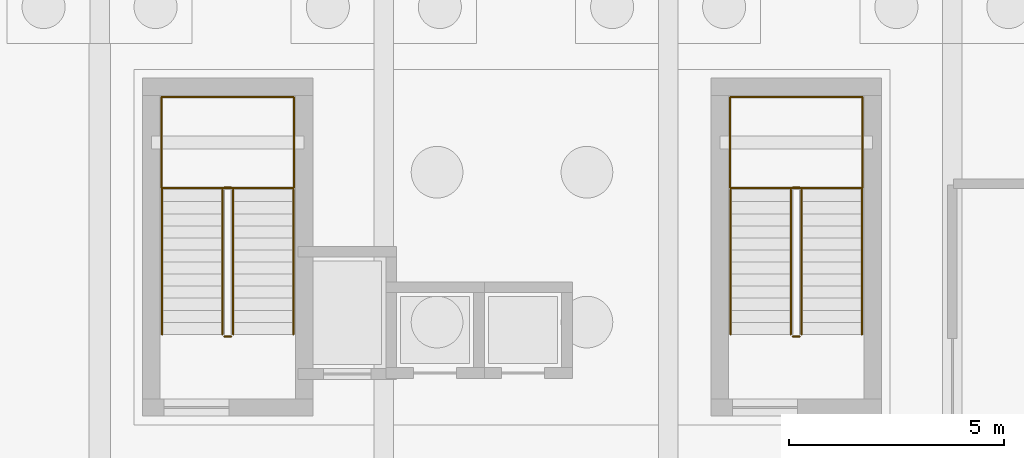
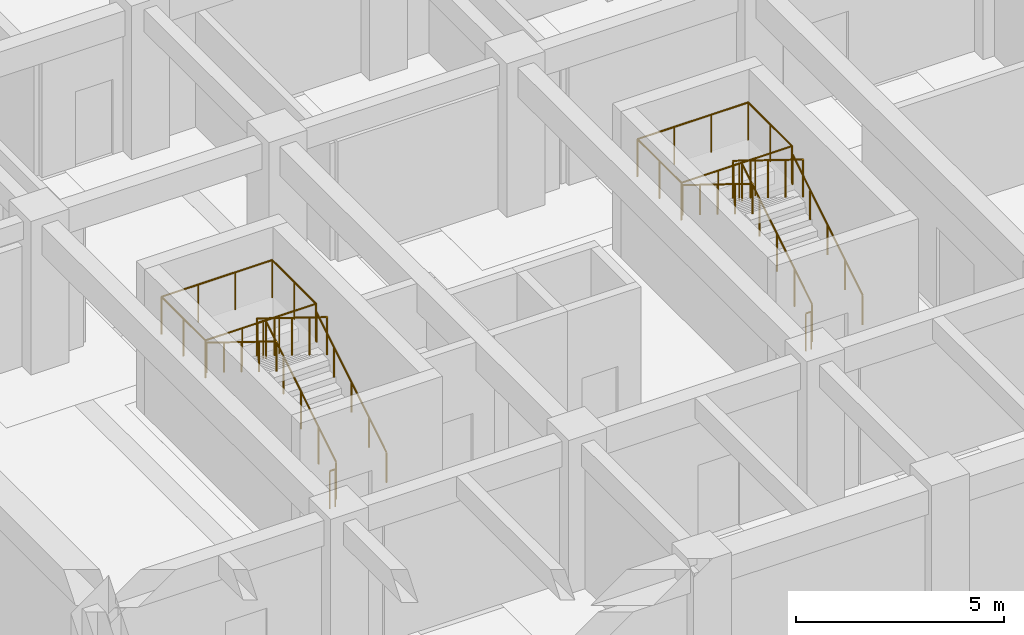
# One storey, part 22 of 28: 16 railings.
"""IFC4 building model written with IfcOpenShell, lengths in metres."""

from ifc_helpers import new_model, si_unit, direction, frame, origin, origin_2d, place, context, subcontext, project, spatial, circle, extrude, material, type_object, element, save


model = new_model("IFC4")

# Units and contexts
model_context = context("Model", 3, precision=1e-05, world=origin(), true_north=direction((0.0, 1.0)))
body_context = subcontext(model_context, "Body", "Model", "MODEL_VIEW")
ifc_project = project(units=[si_unit("LENGTHUNIT", "METRE"), si_unit("AREAUNIT", "SQUARE_METRE"), si_unit("VOLUMEUNIT", "CUBIC_METRE"), si_unit("PLANEANGLEUNIT", "RADIAN"), si_unit("MASSUNIT", "GRAM", prefix="KILO")], contexts=[model_context])

# Site, building, storey
site_placement = place(None, origin())
site = spatial("IfcSite", under=ifc_project, at=site_placement, CompositionType="ELEMENT")
building_placement = place(site_placement, origin())
building = spatial("IfcBuilding", under=site, at=building_placement, Name="Miralva Faculty of Natural Sciences", CompositionType="ELEMENT")
storey_placement = place(building_placement, frame((0.0, 0.0, -4.5)))
storey = spatial("IfcBuildingStorey", under=building, at=storey_placement, Name="B1", CompositionType="ELEMENT", Elevation=-4.5)

# Railings
ifc_material = material(Name="Steel S355", Category="steel")
railing_type_1 = type_object("IfcRailingType", Name="RL-GR01", PredefinedType="GUARDRAIL", material=ifc_material)
railing_1_placement = place(storey_placement, frame((12.699951171875, 14.5, 0.173095703125)))
element("IfcRailing", 1, at=railing_1_placement, inside=storey, type_object=railing_type_1, Name="Stair Core C1 safety guard B1-1", PredefinedType="GUARDRAIL", context=body_context, shape_type="SweptSolid", body=[
    extrude(circle(Radius=0.02392578125, at=origin_2d()), frame((0.0, 0.0, 1.09619140625), z_axis=(0.0, 0.850623216509, 0.525775754039), x_axis=(-1.0, 0.0, 0.0)), (0.0, 0.0, 1.0), 3.9501953125),
    extrude(circle(Radius=0.02099609375, at=origin_2d()), origin(), (0.0, 0.0, 1.0), 1.072021484375),
    extrude(circle(Radius=0.02099609375, at=origin_2d()), frame((0.0, 0.840087890625, 0.519287109375)), (0.0, 0.0, 1.0), 1.072021484375),
    extrude(circle(Radius=0.02099609375, at=origin_2d()), frame((0.0, 1.68017578125, 1.03857421875)), (0.0, 0.0, 1.0), 1.072021484375),
    extrude(circle(Radius=0.02099609375, at=origin_2d()), frame((0.0, 2.52001953125, 1.5576171875)), (0.0, 0.0, 1.0), 1.072021484375),
    extrude(circle(Radius=0.02099609375, at=origin_2d()), frame((0.0, 3.360107421875, 2.076904296875)), (0.0, 0.0, 1.0), 1.072021484375),
])
railing_2_placement = place(storey_placement, frame((12.64990234375, 17.909912109375, 2.25)))
element("IfcRailing", 2, at=railing_2_placement, inside=storey, type_object=railing_type_1, Name="Stair Core C1 safety guard B1-2", PredefinedType="GUARDRAIL", context=body_context, shape_type="SweptSolid", body=[
    extrude(circle(Radius=0.02392578125, at=origin_2d()), frame((0.0, 0.0, 1.09619140625), z_axis=(-1.0, 0.0, 0.0), x_axis=(0.0, -1.0, 0.0)), (0.0, 0.0, 1.0), 0.14990234375),
    extrude(circle(Radius=0.02099609375, at=origin_2d()), origin(), (0.0, 0.0, 1.0), 1.072021484375),
    extrude(circle(Radius=0.02099609375, at=origin_2d()), frame((-0.14990234375, 0.0, 0.0)), (0.0, 0.0, 1.0), 1.072021484375),
])
railing_3_placement = place(storey_placement, frame((12.449951171875, 17.860107421875, 2.423095703125)))
element("IfcRailing", 3, at=railing_3_placement, inside=storey, type_object=railing_type_1, Name="Stair Core C1 safety guard B1-3", PredefinedType="GUARDRAIL", context=body_context, shape_type="SweptSolid", body=[
    extrude(circle(Radius=0.02392578125, at=origin_2d()), frame((0.0, 0.0, 1.09619140625), z_axis=(0.0, -0.850623216509, 0.525775754039), x_axis=(1.0, 0.0, 0.0)), (0.0, 0.0, 1.0), 3.9501953125),
    extrude(circle(Radius=0.02099609375, at=origin_2d()), origin(), (0.0, 0.0, 1.0), 1.072021484375),
    extrude(circle(Radius=0.02099609375, at=origin_2d()), frame((0.0, -0.840087890625, 0.519287109375)), (0.0, 0.0, 1.0), 1.072021484375),
    extrude(circle(Radius=0.02099609375, at=origin_2d()), frame((0.0, -1.68017578125, 1.03857421875)), (0.0, 0.0, 1.0), 1.072021484375),
    extrude(circle(Radius=0.02099609375, at=origin_2d()), frame((0.0, -2.52001953125, 1.5576171875)), (0.0, 0.0, 1.0), 1.072021484375),
    extrude(circle(Radius=0.02099609375, at=origin_2d()), frame((0.0, -3.360107421875, 2.076904296875)), (0.0, 0.0, 1.0), 1.072021484375),
])
railing_4_placement = place(storey_placement, frame((12.64990234375, 14.449951171875, 0.0)))
element("IfcRailing", 4, at=railing_4_placement, inside=storey, type_object=railing_type_1, Name="Stair Core C1 safety guard B1-4", PredefinedType="GUARDRAIL", context=body_context, shape_type="SweptSolid", body=[
    extrude(circle(Radius=0.02392578125, at=origin_2d()), frame((0.0, 0.0, 1.09619140625), z_axis=(-1.0, 0.0, 0.0), x_axis=(0.0, -1.0, 0.0)), (0.0, 0.0, 1.0), 0.14990234375),
    extrude(circle(Radius=0.02099609375, at=origin_2d()), origin(), (0.0, 0.0, 1.0), 1.072021484375),
    extrude(circle(Radius=0.02099609375, at=origin_2d()), frame((-0.14990234375, 0.0, 0.0)), (0.0, 0.0, 1.0), 1.072021484375),
])
railing_5_placement = place(storey_placement, frame((11.0400390625, 17.89990234375, 2.25)))
element("IfcRailing", 5, at=railing_5_placement, inside=storey, type_object=railing_type_1, Name="Stair Core C1 half-landing guard B1-1A", PredefinedType="GUARDRAIL", context=body_context, shape_type="SweptSolid", body=[
    extrude(circle(Radius=0.02392578125, at=origin_2d()), frame((0.0, 0.0, 1.09619140625), z_axis=(0.0, 1.0, 0.0), x_axis=(-1.0, 0.0, 0.0)), (0.0, 0.0, 1.0), 2.110107421875),
    extrude(circle(Radius=0.02392578125, at=origin_2d()), frame((0.0, 2.110107421875, 1.09619140625), z_axis=(1.0, 0.0, 0.0), x_axis=(0.0, 1.0, 0.0)), (0.0, 0.0, 1.0), 3.070068359375),
    extrude(circle(Radius=0.02099609375, at=origin_2d()), origin(), (0.0, 0.0, 1.0), 1.072021484375),
    extrude(circle(Radius=0.02099609375, at=origin_2d()), frame((0.0, 1.05517578125, 0.0)), (0.0, 0.0, 1.0), 1.072021484375),
    extrude(circle(Radius=0.02099609375, at=origin_2d()), frame((0.0, 2.110107421875, 0.0)), (0.0, 0.0, 1.0), 1.072021484375),
    extrude(circle(Radius=0.02099609375, at=origin_2d()), frame((1.0234375, 2.110107421875, 0.0)), (0.0, 0.0, 1.0), 1.072021484375),
    extrude(circle(Radius=0.02099609375, at=origin_2d()), frame((2.046630859375, 2.110107421875, 0.0)), (0.0, 0.0, 1.0), 1.072021484375),
    extrude(circle(Radius=0.02099609375, at=origin_2d()), frame((3.070068359375, 2.110107421875, 0.0)), (0.0, 0.0, 1.0), 1.072021484375),
])
railing_6_placement = place(storey_placement, frame((14.110107421875, 20.010009765625, 2.25)))
element("IfcRailing", 6, at=railing_6_placement, inside=storey, type_object=railing_type_1, Name="Stair Core C1 half-landing guard B1-1B", PredefinedType="GUARDRAIL", context=body_context, shape_type="SweptSolid", body=[
    extrude(circle(Radius=0.02392578125, at=origin_2d()), frame((0.0, 0.0, 1.09619140625), z_axis=(0.0, -1.0, 0.0), x_axis=(1.0, 0.0, 0.0)), (0.0, 0.0, 1.0), 2.110107421875),
    extrude(circle(Radius=0.02392578125, at=origin_2d()), frame((0.0, -2.110107421875, 1.09619140625), z_axis=(-1.0, 0.0, 0.0), x_axis=(0.0, -1.0, 0.0)), (0.0, 0.0, 1.0), 3.070068359375),
    extrude(circle(Radius=0.02099609375, at=origin_2d()), origin(), (0.0, 0.0, 1.0), 1.072021484375),
    extrude(circle(Radius=0.02099609375, at=origin_2d()), frame((0.0, -1.05517578125, 0.0)), (0.0, 0.0, 1.0), 1.072021484375),
    extrude(circle(Radius=0.02099609375, at=origin_2d()), frame((0.0, -2.110107421875, 0.0)), (0.0, 0.0, 1.0), 1.072021484375),
    extrude(circle(Radius=0.02099609375, at=origin_2d()), frame((-1.0234375, -2.110107421875, 0.0)), (0.0, 0.0, 1.0), 1.072021484375),
    extrude(circle(Radius=0.02099609375, at=origin_2d()), frame((-2.046630859375, -2.110107421875, 0.0)), (0.0, 0.0, 1.0), 1.072021484375),
    extrude(circle(Radius=0.02099609375, at=origin_2d()), frame((-3.070068359375, -2.110107421875, 0.0)), (0.0, 0.0, 1.0), 1.072021484375),
])
railing_7_placement = place(storey_placement, frame((25.89990234375, 14.5, 0.173095703125)))
element("IfcRailing", 7, at=railing_7_placement, inside=storey, type_object=railing_type_1, Name="Stair Core C1B safety guard B1-1", PredefinedType="GUARDRAIL", context=body_context, shape_type="SweptSolid", body=[
    extrude(circle(Radius=0.02392578125, at=origin_2d()), frame((0.0, 0.0, 1.09619140625), z_axis=(0.0, 0.850623216509, 0.525775754039), x_axis=(-1.0, 0.0, 0.0)), (0.0, 0.0, 1.0), 3.9501953125),
    extrude(circle(Radius=0.02099609375, at=origin_2d()), origin(), (0.0, 0.0, 1.0), 1.072021484375),
    extrude(circle(Radius=0.02099609375, at=origin_2d()), frame((0.0, 0.840087890625, 0.519287109375)), (0.0, 0.0, 1.0), 1.072021484375),
    extrude(circle(Radius=0.02099609375, at=origin_2d()), frame((0.0, 1.68017578125, 1.03857421875)), (0.0, 0.0, 1.0), 1.072021484375),
    extrude(circle(Radius=0.02099609375, at=origin_2d()), frame((0.0, 2.52001953125, 1.5576171875)), (0.0, 0.0, 1.0), 1.072021484375),
    extrude(circle(Radius=0.02099609375, at=origin_2d()), frame((0.0, 3.360107421875, 2.076904296875)), (0.0, 0.0, 1.0), 1.072021484375),
])
railing_8_placement = place(storey_placement, frame((25.85009765625, 17.909912109375, 2.25)))
element("IfcRailing", 8, at=railing_8_placement, inside=storey, type_object=railing_type_1, Name="Stair Core C1B safety guard B1-2", PredefinedType="GUARDRAIL", context=body_context, shape_type="SweptSolid", body=[
    extrude(circle(Radius=0.02392578125, at=origin_2d()), frame((0.0, 0.0, 1.09619140625), z_axis=(-1.0, 0.0, 0.0), x_axis=(0.0, -1.0, 0.0)), (0.0, 0.0, 1.0), 0.150146484375),
    extrude(circle(Radius=0.02099609375, at=origin_2d()), origin(), (0.0, 0.0, 1.0), 1.072021484375),
    extrude(circle(Radius=0.02099609375, at=origin_2d()), frame((-0.150146484375, 0.0, 0.0)), (0.0, 0.0, 1.0), 1.072021484375),
])
railing_9_placement = place(storey_placement, frame((25.64990234375, 17.860107421875, 2.423095703125)))
element("IfcRailing", 9, at=railing_9_placement, inside=storey, type_object=railing_type_1, Name="Stair Core C1B safety guard B1-3", PredefinedType="GUARDRAIL", context=body_context, shape_type="SweptSolid", body=[
    extrude(circle(Radius=0.02392578125, at=origin_2d()), frame((0.0, 0.0, 1.09619140625), z_axis=(0.0, -0.850623216509, 0.525775754039), x_axis=(1.0, 0.0, 0.0)), (0.0, 0.0, 1.0), 3.9501953125),
    extrude(circle(Radius=0.02099609375, at=origin_2d()), origin(), (0.0, 0.0, 1.0), 1.072021484375),
    extrude(circle(Radius=0.02099609375, at=origin_2d()), frame((0.0, -0.840087890625, 0.519287109375)), (0.0, 0.0, 1.0), 1.072021484375),
    extrude(circle(Radius=0.02099609375, at=origin_2d()), frame((0.0, -1.68017578125, 1.03857421875)), (0.0, 0.0, 1.0), 1.072021484375),
    extrude(circle(Radius=0.02099609375, at=origin_2d()), frame((0.0, -2.52001953125, 1.5576171875)), (0.0, 0.0, 1.0), 1.072021484375),
    extrude(circle(Radius=0.02099609375, at=origin_2d()), frame((0.0, -3.360107421875, 2.076904296875)), (0.0, 0.0, 1.0), 1.072021484375),
])
railing_10_placement = place(storey_placement, frame((25.85009765625, 14.449951171875, 0.0)))
element("IfcRailing", 10, at=railing_10_placement, inside=storey, type_object=railing_type_1, Name="Stair Core C1B safety guard B1-4", PredefinedType="GUARDRAIL", context=body_context, shape_type="SweptSolid", body=[
    extrude(circle(Radius=0.02392578125, at=origin_2d()), frame((0.0, 0.0, 1.09619140625), z_axis=(-1.0, 0.0, 0.0), x_axis=(0.0, -1.0, 0.0)), (0.0, 0.0, 1.0), 0.150146484375),
    extrude(circle(Radius=0.02099609375, at=origin_2d()), origin(), (0.0, 0.0, 1.0), 1.072021484375),
    extrude(circle(Radius=0.02099609375, at=origin_2d()), frame((-0.150146484375, 0.0, 0.0)), (0.0, 0.0, 1.0), 1.072021484375),
])
railing_11_placement = place(storey_placement, frame((24.239990234375, 17.89990234375, 2.25)))
element("IfcRailing", 11, at=railing_11_placement, inside=storey, type_object=railing_type_1, Name="Stair Core C1B half-landing guard B1-1A", PredefinedType="GUARDRAIL", context=body_context, shape_type="SweptSolid", body=[
    extrude(circle(Radius=0.02392578125, at=origin_2d()), frame((0.0, 0.0, 1.09619140625), z_axis=(0.0, 1.0, 0.0), x_axis=(-1.0, 0.0, 0.0)), (0.0, 0.0, 1.0), 2.110107421875),
    extrude(circle(Radius=0.02392578125, at=origin_2d()), frame((0.0, 2.110107421875, 1.09619140625), z_axis=(1.0, 0.0, 0.0), x_axis=(0.0, 1.0, 0.0)), (0.0, 0.0, 1.0), 3.070068359375),
    extrude(circle(Radius=0.02099609375, at=origin_2d()), origin(), (0.0, 0.0, 1.0), 1.072021484375),
    extrude(circle(Radius=0.02099609375, at=origin_2d()), frame((0.0, 1.05517578125, 0.0)), (0.0, 0.0, 1.0), 1.072021484375),
    extrude(circle(Radius=0.02099609375, at=origin_2d()), frame((0.0, 2.110107421875, 0.0)), (0.0, 0.0, 1.0), 1.072021484375),
    extrude(circle(Radius=0.02099609375, at=origin_2d()), frame((1.0234375, 2.110107421875, 0.0)), (0.0, 0.0, 1.0), 1.072021484375),
    extrude(circle(Radius=0.02099609375, at=origin_2d()), frame((2.046630859375, 2.110107421875, 0.0)), (0.0, 0.0, 1.0), 1.072021484375),
    extrude(circle(Radius=0.02099609375, at=origin_2d()), frame((3.070068359375, 2.110107421875, 0.0)), (0.0, 0.0, 1.0), 1.072021484375),
])
railing_12_placement = place(storey_placement, frame((27.31005859375, 20.010009765625, 2.25)))
element("IfcRailing", 12, at=railing_12_placement, inside=storey, type_object=railing_type_1, Name="Stair Core C1B half-landing guard B1-1B", PredefinedType="GUARDRAIL", context=body_context, shape_type="SweptSolid", body=[
    extrude(circle(Radius=0.02392578125, at=origin_2d()), frame((0.0, 0.0, 1.09619140625), z_axis=(0.0, -1.0, 0.0), x_axis=(1.0, 0.0, 0.0)), (0.0, 0.0, 1.0), 2.110107421875),
    extrude(circle(Radius=0.02392578125, at=origin_2d()), frame((0.0, -2.110107421875, 1.09619140625), z_axis=(-1.0, 0.0, 0.0), x_axis=(0.0, -1.0, 0.0)), (0.0, 0.0, 1.0), 3.070068359375),
    extrude(circle(Radius=0.02099609375, at=origin_2d()), origin(), (0.0, 0.0, 1.0), 1.072021484375),
    extrude(circle(Radius=0.02099609375, at=origin_2d()), frame((0.0, -1.05517578125, 0.0)), (0.0, 0.0, 1.0), 1.072021484375),
    extrude(circle(Radius=0.02099609375, at=origin_2d()), frame((0.0, -2.110107421875, 0.0)), (0.0, 0.0, 1.0), 1.072021484375),
    extrude(circle(Radius=0.02099609375, at=origin_2d()), frame((-1.0234375, -2.110107421875, 0.0)), (0.0, 0.0, 1.0), 1.072021484375),
    extrude(circle(Radius=0.02099609375, at=origin_2d()), frame((-2.046630859375, -2.110107421875, 0.0)), (0.0, 0.0, 1.0), 1.072021484375),
    extrude(circle(Radius=0.02099609375, at=origin_2d()), frame((-3.070068359375, -2.110107421875, 0.0)), (0.0, 0.0, 1.0), 1.072021484375),
])
railing_type_2 = type_object("IfcRailingType", Name="RL-HR01", PredefinedType="HANDRAIL", material=ifc_material)
railing_13_placement = place(storey_placement, frame((14.10009765625, 14.5, 0.173095703125)))
element("IfcRailing", 13, at=railing_13_placement, inside=storey, type_object=railing_type_2, Name="Stair Core C1 handrail B1-1", PredefinedType="HANDRAIL", context=body_context, shape_type="SweptSolid", body=[
    extrude(circle(Radius=0.02392578125, at=origin_2d()), frame((0.0, 0.0, 0.8759765625), z_axis=(0.0, 0.850623216509, 0.525775754039), x_axis=(-1.0, 0.0, 0.0)), (0.0, 0.0, 1.0), 3.9501953125),
    extrude(circle(Radius=0.02099609375, at=origin_2d()), origin(), (0.0, 0.0, 1.0), 0.851806640625),
    extrude(circle(Radius=0.02099609375, at=origin_2d()), frame((0.0, 0.840087890625, 0.519287109375)), (0.0, 0.0, 1.0), 0.851806640625),
    extrude(circle(Radius=0.02099609375, at=origin_2d()), frame((0.0, 1.68017578125, 1.03857421875)), (0.0, 0.0, 1.0), 0.851806640625),
    extrude(circle(Radius=0.02099609375, at=origin_2d()), frame((0.0, 2.52001953125, 1.5576171875)), (0.0, 0.0, 1.0), 0.851806640625),
    extrude(circle(Radius=0.02099609375, at=origin_2d()), frame((0.0, 3.360107421875, 2.076904296875)), (0.0, 0.0, 1.0), 0.851806640625),
])
railing_14_placement = place(storey_placement, frame((11.050048828125, 17.860107421875, 2.423095703125)))
element("IfcRailing", 14, at=railing_14_placement, inside=storey, type_object=railing_type_2, Name="Stair Core C1 handrail B1-2", PredefinedType="HANDRAIL", context=body_context, shape_type="SweptSolid", body=[
    extrude(circle(Radius=0.02392578125, at=origin_2d()), frame((0.0, 0.0, 0.8759765625), z_axis=(0.0, -0.850623216509, 0.525775754039), x_axis=(1.0, 0.0, 0.0)), (0.0, 0.0, 1.0), 3.9501953125),
    extrude(circle(Radius=0.02099609375, at=origin_2d()), origin(), (0.0, 0.0, 1.0), 0.851806640625),
    extrude(circle(Radius=0.02099609375, at=origin_2d()), frame((0.0, -0.840087890625, 0.519287109375)), (0.0, 0.0, 1.0), 0.851806640625),
    extrude(circle(Radius=0.02099609375, at=origin_2d()), frame((0.0, -1.68017578125, 1.03857421875)), (0.0, 0.0, 1.0), 0.851806640625),
    extrude(circle(Radius=0.02099609375, at=origin_2d()), frame((0.0, -2.52001953125, 1.5576171875)), (0.0, 0.0, 1.0), 0.851806640625),
    extrude(circle(Radius=0.02099609375, at=origin_2d()), frame((0.0, -3.360107421875, 2.076904296875)), (0.0, 0.0, 1.0), 0.851806640625),
])
railing_15_placement = place(storey_placement, frame((27.300048828125, 14.5, 0.173095703125)))
element("IfcRailing", 15, at=railing_15_placement, inside=storey, type_object=railing_type_2, Name="Stair Core C1B handrail B1-1", PredefinedType="HANDRAIL", context=body_context, shape_type="SweptSolid", body=[
    extrude(circle(Radius=0.02392578125, at=origin_2d()), frame((0.0, 0.0, 0.8759765625), z_axis=(0.0, 0.850623216509, 0.525775754039), x_axis=(-1.0, 0.0, 0.0)), (0.0, 0.0, 1.0), 3.9501953125),
    extrude(circle(Radius=0.02099609375, at=origin_2d()), origin(), (0.0, 0.0, 1.0), 0.851806640625),
    extrude(circle(Radius=0.02099609375, at=origin_2d()), frame((0.0, 0.840087890625, 0.519287109375)), (0.0, 0.0, 1.0), 0.851806640625),
    extrude(circle(Radius=0.02099609375, at=origin_2d()), frame((0.0, 1.68017578125, 1.03857421875)), (0.0, 0.0, 1.0), 0.851806640625),
    extrude(circle(Radius=0.02099609375, at=origin_2d()), frame((0.0, 2.52001953125, 1.5576171875)), (0.0, 0.0, 1.0), 0.851806640625),
    extrude(circle(Radius=0.02099609375, at=origin_2d()), frame((0.0, 3.360107421875, 2.076904296875)), (0.0, 0.0, 1.0), 0.851806640625),
])
railing_16_placement = place(storey_placement, frame((24.25, 17.860107421875, 2.423095703125)))
element("IfcRailing", 16, at=railing_16_placement, inside=storey, type_object=railing_type_2, Name="Stair Core C1B handrail B1-2", PredefinedType="HANDRAIL", context=body_context, shape_type="SweptSolid", body=[
    extrude(circle(Radius=0.02392578125, at=origin_2d()), frame((0.0, 0.0, 0.8759765625), z_axis=(0.0, -0.850623216509, 0.525775754039), x_axis=(1.0, 0.0, 0.0)), (0.0, 0.0, 1.0), 3.9501953125),
    extrude(circle(Radius=0.02099609375, at=origin_2d()), origin(), (0.0, 0.0, 1.0), 0.851806640625),
    extrude(circle(Radius=0.02099609375, at=origin_2d()), frame((0.0, -0.840087890625, 0.519287109375)), (0.0, 0.0, 1.0), 0.851806640625),
    extrude(circle(Radius=0.02099609375, at=origin_2d()), frame((0.0, -1.68017578125, 1.03857421875)), (0.0, 0.0, 1.0), 0.851806640625),
    extrude(circle(Radius=0.02099609375, at=origin_2d()), frame((0.0, -2.52001953125, 1.5576171875)), (0.0, 0.0, 1.0), 0.851806640625),
    extrude(circle(Radius=0.02099609375, at=origin_2d()), frame((0.0, -3.360107421875, 2.076904296875)), (0.0, 0.0, 1.0), 0.851806640625),
])

save(model, "model.ifc")
